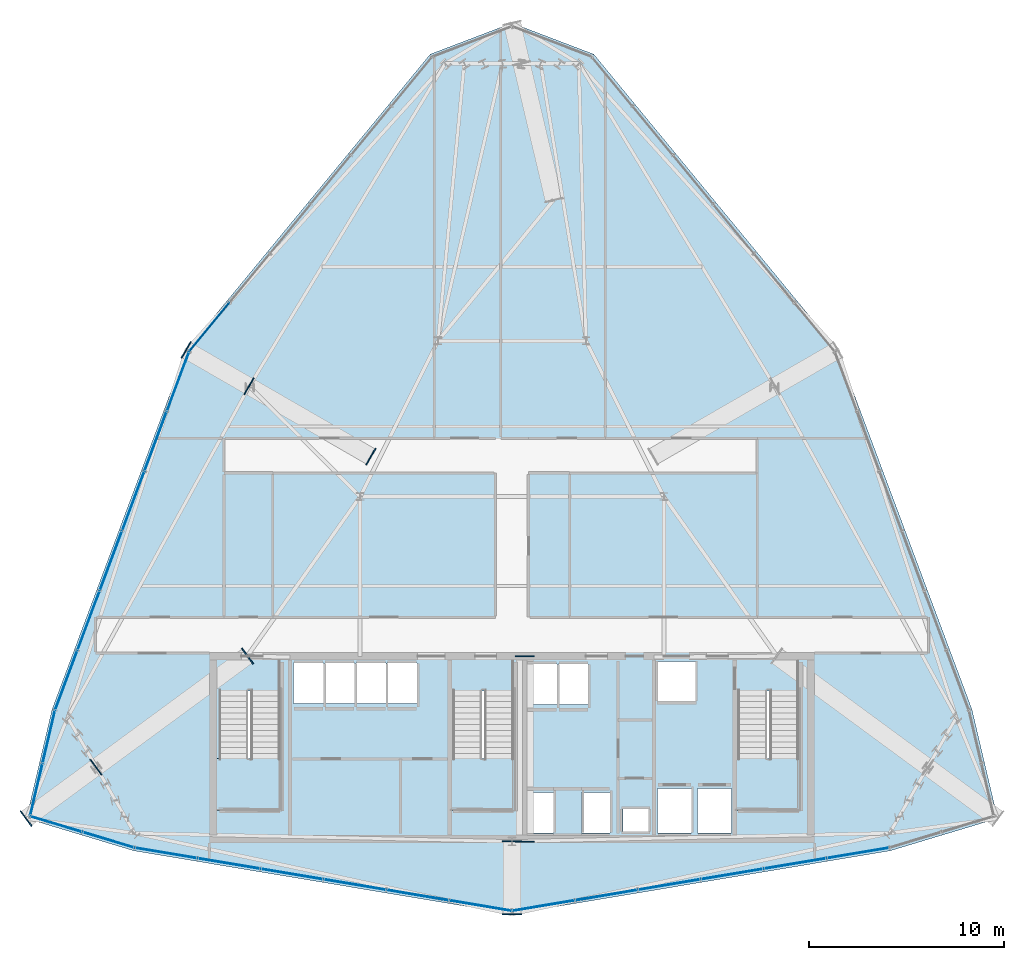
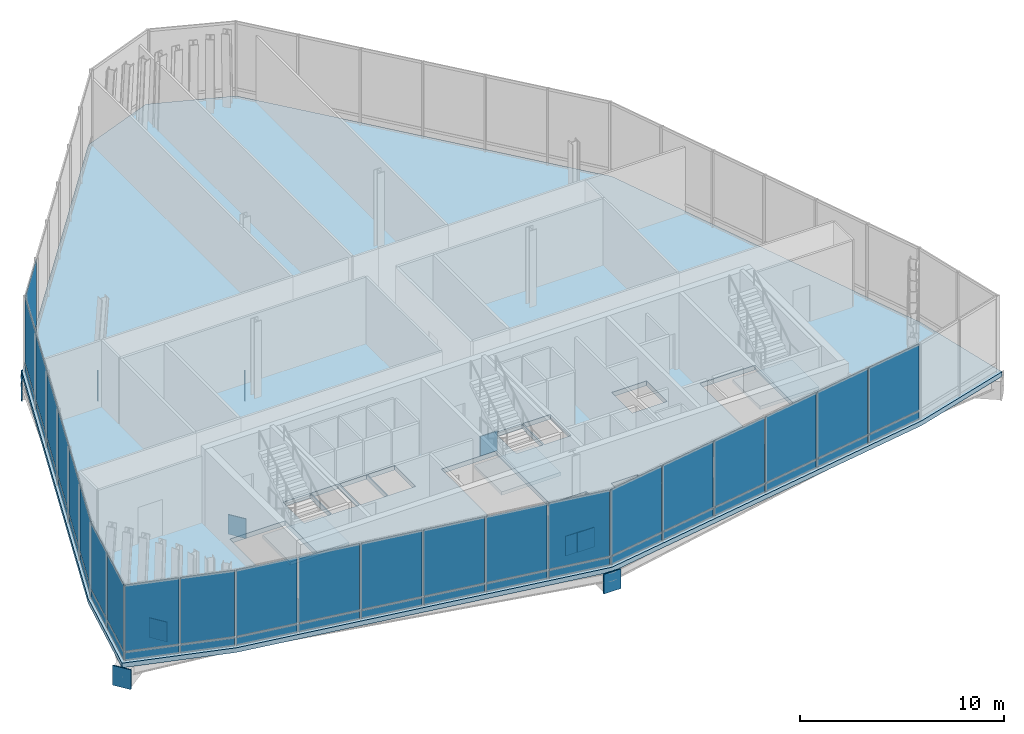
# One storey, part 21 of 28: 56 plates, 4 slabs, 9 elements without a shape of their own.
"""IFC4 building model written with IfcOpenShell, lengths in metres."""

from ifc_helpers import new_model, si_unit, direction, frame, origin, origin_2d, place, context, subcontext, project, spatial, polyline, rectangle, outline, extrude, material, layer, layer_set, type_object, element, aggregate, save


model = new_model("IFC4")

# Units and contexts
model_context = context("Model", 3, precision=1e-05, world=origin(), true_north=direction((0.0, 1.0)))
body_context = subcontext(model_context, "Body", "Model", "MODEL_VIEW")
ifc_project = project(units=[si_unit("LENGTHUNIT", "METRE"), si_unit("AREAUNIT", "SQUARE_METRE"), si_unit("VOLUMEUNIT", "CUBIC_METRE"), si_unit("PLANEANGLEUNIT", "RADIAN"), si_unit("MASSUNIT", "GRAM", prefix="KILO")], contexts=[model_context])

# Site, building, storey
site_placement = place(None, origin())
site = spatial("IfcSite", under=ifc_project, at=site_placement, CompositionType="ELEMENT")
building_placement = place(site_placement, origin())
building = spatial("IfcBuilding", under=site, at=building_placement, Name="Ndaravel Arena Tower", CompositionType="ELEMENT")
storey_placement = place(building_placement, frame((0.0, 0.0, 213.199951171875)))
storey = spatial("IfcBuildingStorey", under=building, at=storey_placement, Name="L51", CompositionType="ELEMENT", Elevation=213.199951171875)

# Plates
ifc_material_1 = material(Name="Steel S460", Category="steel")
ifc_layer_1 = layer(ifc_material_1, 0.06005859375)
ifc_layer_set_1 = layer_set([ifc_layer_1], Name="Steel S460")
plate_type_1 = type_object("IfcPlateType", Name="PLT-CAP-STF1", PredefinedType="USERDEFINED", material=ifc_layer_set_1)
for number, where, z_axis, x_axis, name in (
    (1, (28.40869140625, 15.0087890625, -1.419921875), (0.0, 0.0, 1.0), (-0.805824944182, -0.592153830802, 0.0), "L51 Hollow Section Sealed End Cap Plate HCP-058"),
    (2, (20.6298828125, 9.2919921875, -1.419921875), (0.0, 0.0, 1.0), (-0.805824944182, -0.592153830802, 0.0), "L51 Hollow Section Sealed End Cap Plate HCP-059"),
    (3, (17.03857421875, 6.65234375, -1.419921875), (0.0, 0.0, 1.0), (-0.805824944182, -0.592153830802, 0.0), "L51 Hollow Section Sealed End Cap Plate HCP-060"),
    (4, (42.64990234375, 14.9951171875, -1.419921875), (0.0, 0.0, 1.0), (0.0, -1.0, 0.0), "L51 Hollow Section Sealed End Cap Plate HCP-061"),
    (5, (42.64990234375, 5.465087890625, -1.419921875), (0.0, 0.0, 1.0), (0.0, -1.0, 0.0), "L51 Hollow Section Sealed End Cap Plate HCP-062"),
    (6, (42.0, 5.4951171875, -1.419921875), (0.0, 0.0, 1.0), (0.0, -1.0, 0.0), "L51 Hollow Section Sealed End Cap Plate HCP-063"),
    (7, (42.0, 1.735107421875, -1.419921875), (0.0, 0.0, 1.0), (0.0, -1.0, 0.0), "L51 Hollow Section Sealed End Cap Plate HCP-064"),
    (8, (34.75048828125, 25.251220703125, -1.419921875), (0.0, 0.0, 1.0), (-0.866025403784, 0.5, 0.0), "L51 Hollow Section Sealed End Cap Plate HCP-074"),
    (9, (28.4892578125, 28.8662109375, -1.419921875), (0.0, 0.0, 1.0), (-0.866025403784, 0.5, 0.0), "L51 Hollow Section Sealed End Cap Plate HCP-075"),
    (10, (25.259033203125, 30.731201171875, -1.419921875), (0.0, 0.0, 1.0), (-0.866025403784, 0.5, 0.0), "L51 Hollow Section Sealed End Cap Plate HCP-076"),
):
    element("IfcPlate", number, at=place(storey_placement, frame(where, z_axis=z_axis, x_axis=x_axis)), inside=storey, type_object=plate_type_1, Name=name, ObjectType="STIFFENER_PLATE", PredefinedType="USERDEFINED", context=body_context, shape_type="SweptSolid", body=[
        extrude(rectangle(XDim=0.06005859375, YDim=0.97998046875, at=origin_2d()), origin(), (0.0, 0.0, 1.0), 1.179931640625),
    ])

# Curtain wall, plates
ifc_material_2 = material(Name="Aluminium", Category="aluminium")
ifc_layer_2 = layer(ifc_material_2, 0.179931640625)
ifc_layer_set_2 = layer_set([ifc_layer_2], Name="Aluminium")
curtain_wall_type = type_object("IfcCurtainWallType", Name="CW-SYS-04", PredefinedType="NOTDEFINED", material=ifc_layer_set_2)
curtain_wall_1_placement = place(storey_placement, origin())
curtain_wall_1 = element("IfcCurtainWall", 11, at=curtain_wall_1_placement, inside=storey, type_object=curtain_wall_type, Name="L51 Faceted Crystal Curtain Wall CW-L51-E01", PredefinedType="NOTDEFINED")
ifc_material_3 = material(Name="Glazing", Category="glass")
ifc_layer_3 = layer(ifc_material_3, 0.0400390625)
ifc_layer_set_3 = layer_set([ifc_layer_3], Name="Glazing")
plate_type_2 = type_object("IfcPlateType", Name="PLT-GLZ-LOWIRON", PredefinedType="CURTAIN_PANEL", material=ifc_layer_set_3)
plate_1_placement = place(storey_placement, frame((18.58251953125, 6.367431640625, 0.58984375), z_axis=(0.0, 0.0, 1.0), x_axis=(0.957576390633, -0.288179555317, 0.0)))
plate_1 = element("IfcPlate", 12, at=plate_1_placement, type_object=plate_type_2, Name="CW-L51-E01 Vision Glass Panel 01", PredefinedType="CURTAIN_PANEL", context=body_context, shape_type="SweptSolid", body=[
    extrude(rectangle(XDim=2.72216796875, YDim=0.035888671875, at=origin_2d()), origin(), (0.0, 0.0, 1.0), 3.949951171875),
])
plate_2_placement = place(storey_placement, frame((21.265625, 5.559814453125, 0.58984375), z_axis=(0.0, 0.0, 1.0), x_axis=(0.957576390633, -0.288179555317, 0.0)))
plate_2 = element("IfcPlate", 13, at=plate_2_placement, type_object=plate_type_2, Name="CW-L51-E01 Vision Glass Panel 02", PredefinedType="CURTAIN_PANEL", context=body_context, shape_type="SweptSolid", body=[
    extrude(rectangle(XDim=2.72216796875, YDim=0.035888671875, at=origin_2d()), origin(), (0.0, 0.0, 1.0), 3.949951171875),
])

curtain_wall_2_placement = place(storey_placement, origin())
curtain_wall_2 = element("IfcCurtainWall", 14, at=curtain_wall_2_placement, inside=storey, type_object=curtain_wall_type, Name="L51 Faceted Crystal Curtain Wall CW-L51-E02", PredefinedType="NOTDEFINED")
plate_3_placement = place(storey_placement, frame((24.223388671875, 4.8857421875, 0.58984375), z_axis=(0.0, 0.0, 1.0), x_axis=(0.98629712163, -0.164978749734, 0.0)))
plate_3 = element("IfcPlate", 15, at=plate_3_placement, type_object=plate_type_2, Name="CW-L51-E02 Vision Glass Panel 01", PredefinedType="CURTAIN_PANEL", context=body_context, shape_type="SweptSolid", body=[
    extrude(rectangle(XDim=3.197021484375, YDim=0.035888671875, at=origin_2d()), origin(), (0.0, 0.0, 1.0), 3.949951171875),
])
plate_4_placement = place(storey_placement, frame((27.45556640625, 4.34521484375, 0.58984375), z_axis=(0.0, 0.0, 1.0), x_axis=(0.98629712163, -0.164978749734, 0.0)))
plate_4 = element("IfcPlate", 16, at=plate_4_placement, type_object=plate_type_2, Name="CW-L51-E02 Vision Glass Panel 02", PredefinedType="CURTAIN_PANEL", context=body_context, shape_type="SweptSolid", body=[
    extrude(rectangle(XDim=3.197021484375, YDim=0.035888671875, at=origin_2d()), origin(), (0.0, 0.0, 1.0), 3.949951171875),
])
plate_5_placement = place(storey_placement, frame((30.6875, 3.804443359375, 0.58984375), z_axis=(0.0, 0.0, 1.0), x_axis=(0.98629712163, -0.164978749734, 0.0)))
plate_5 = element("IfcPlate", 17, at=plate_5_placement, type_object=plate_type_2, Name="CW-L51-E02 Vision Glass Panel 03", PredefinedType="CURTAIN_PANEL", context=body_context, shape_type="SweptSolid", body=[
    extrude(rectangle(XDim=3.197021484375, YDim=0.035888671875, at=origin_2d()), origin(), (0.0, 0.0, 1.0), 3.949951171875),
])
plate_6_placement = place(storey_placement, frame((33.919677734375, 3.263916015625, 0.58984375), z_axis=(0.0, 0.0, 1.0), x_axis=(0.98629712163, -0.164978749734, 0.0)))
plate_6 = element("IfcPlate", 18, at=plate_6_placement, type_object=plate_type_2, Name="CW-L51-E02 Vision Glass Panel 04", PredefinedType="CURTAIN_PANEL", context=body_context, shape_type="SweptSolid", body=[
    extrude(rectangle(XDim=3.197021484375, YDim=0.035888671875, at=origin_2d()), origin(), (0.0, 0.0, 1.0), 3.949951171875),
])
plate_7_placement = place(storey_placement, frame((37.15185546875, 2.72314453125, 0.58984375), z_axis=(0.0, 0.0, 1.0), x_axis=(0.98629712163, -0.164978749734, 0.0)))
plate_7 = element("IfcPlate", 19, at=plate_7_placement, type_object=plate_type_2, Name="CW-L51-E02 Vision Glass Panel 05", PredefinedType="CURTAIN_PANEL", context=body_context, shape_type="SweptSolid", body=[
    extrude(rectangle(XDim=3.197021484375, YDim=0.035888671875, at=origin_2d()), origin(), (0.0, 0.0, 1.0), 3.949951171875),
])
plate_8_placement = place(storey_placement, frame((40.3837890625, 2.1826171875, 0.58984375), z_axis=(0.0, 0.0, 1.0), x_axis=(0.98629712163, -0.164978749734, 0.0)))
plate_8 = element("IfcPlate", 20, at=plate_8_placement, type_object=plate_type_2, Name="CW-L51-E02 Vision Glass Panel 06", PredefinedType="CURTAIN_PANEL", context=body_context, shape_type="SweptSolid", body=[
    extrude(rectangle(XDim=3.197021484375, YDim=0.035888671875, at=origin_2d()), origin(), (0.0, 0.0, 1.0), 3.949951171875),
])

curtain_wall_3_placement = place(storey_placement, origin())
curtain_wall_3 = element("IfcCurtainWall", 21, at=curtain_wall_3_placement, inside=storey, type_object=curtain_wall_type, Name="L51 Faceted Crystal Curtain Wall CW-L51-E03", PredefinedType="NOTDEFINED")
plate_9_placement = place(storey_placement, frame((43.6162109375, 2.1826171875, 0.58984375), z_axis=(0.0, 0.0, 1.0), x_axis=(0.98629712163, 0.164978749734, 0.0)))
plate_9 = element("IfcPlate", 22, at=plate_9_placement, type_object=plate_type_2, Name="CW-L51-E03 Vision Glass Panel 01", PredefinedType="CURTAIN_PANEL", context=body_context, shape_type="SweptSolid", body=[
    extrude(rectangle(XDim=3.197021484375, YDim=0.035888671875, at=origin_2d()), origin(), (0.0, 0.0, 1.0), 3.949951171875),
])
plate_10_placement = place(storey_placement, frame((46.84814453125, 2.72314453125, 0.58984375), z_axis=(0.0, 0.0, 1.0), x_axis=(0.98629712163, 0.164978749734, 0.0)))
plate_10 = element("IfcPlate", 23, at=plate_10_placement, type_object=plate_type_2, Name="CW-L51-E03 Vision Glass Panel 02", PredefinedType="CURTAIN_PANEL", context=body_context, shape_type="SweptSolid", body=[
    extrude(rectangle(XDim=3.197021484375, YDim=0.035888671875, at=origin_2d()), origin(), (0.0, 0.0, 1.0), 3.949951171875),
])
plate_11_placement = place(storey_placement, frame((50.080322265625, 3.263916015625, 0.58984375), z_axis=(0.0, 0.0, 1.0), x_axis=(0.98629712163, 0.164978749734, 0.0)))
plate_11 = element("IfcPlate", 24, at=plate_11_placement, type_object=plate_type_2, Name="CW-L51-E03 Vision Glass Panel 03", PredefinedType="CURTAIN_PANEL", context=body_context, shape_type="SweptSolid", body=[
    extrude(rectangle(XDim=3.197021484375, YDim=0.035888671875, at=origin_2d()), origin(), (0.0, 0.0, 1.0), 3.949951171875),
])
plate_12_placement = place(storey_placement, frame((53.3125, 3.804443359375, 0.58984375), z_axis=(0.0, 0.0, 1.0), x_axis=(0.98629712163, 0.164978749734, 0.0)))
plate_12 = element("IfcPlate", 25, at=plate_12_placement, type_object=plate_type_2, Name="CW-L51-E03 Vision Glass Panel 04", PredefinedType="CURTAIN_PANEL", context=body_context, shape_type="SweptSolid", body=[
    extrude(rectangle(XDim=3.197021484375, YDim=0.035888671875, at=origin_2d()), origin(), (0.0, 0.0, 1.0), 3.949951171875),
])
plate_13_placement = place(storey_placement, frame((56.54443359375, 4.34521484375, 0.58984375), z_axis=(0.0, 0.0, 1.0), x_axis=(0.98629712163, 0.164978749734, 0.0)))
plate_13 = element("IfcPlate", 26, at=plate_13_placement, type_object=plate_type_2, Name="CW-L51-E03 Vision Glass Panel 05", PredefinedType="CURTAIN_PANEL", context=body_context, shape_type="SweptSolid", body=[
    extrude(rectangle(XDim=3.197021484375, YDim=0.035888671875, at=origin_2d()), origin(), (0.0, 0.0, 1.0), 3.949951171875),
])
plate_14_placement = place(storey_placement, frame((59.776611328125, 4.8857421875, 0.58984375), z_axis=(0.0, 0.0, 1.0), x_axis=(0.98629712163, 0.164978749734, 0.0)))
plate_14 = element("IfcPlate", 27, at=plate_14_placement, type_object=plate_type_2, Name="CW-L51-E03 Vision Glass Panel 06", PredefinedType="CURTAIN_PANEL", context=body_context, shape_type="SweptSolid", body=[
    extrude(rectangle(XDim=3.197021484375, YDim=0.035888671875, at=origin_2d()), origin(), (0.0, 0.0, 1.0), 3.949951171875),
])

# Curtain wall, plate
curtain_wall_4_placement = place(storey_placement, origin())
curtain_wall_4 = element("IfcCurtainWall", 28, at=curtain_wall_4_placement, inside=storey, type_object=curtain_wall_type, Name="L51 Faceted Crystal Curtain Wall CW-L51-E10", PredefinedType="NOTDEFINED")
plate_15_placement = place(storey_placement, frame((26.452880859375, 31.90478515625, 0.58984375), z_axis=(0.0, 0.0, 1.0), x_axis=(-0.636024349169, -0.771668988144, 0.0)))
plate_15 = element("IfcPlate", 29, at=plate_15_placement, type_object=plate_type_2, Name="CW-L51-E10 Vision Glass Panel 06", PredefinedType="CURTAIN_PANEL", context=body_context, shape_type="SweptSolid", body=[
    extrude(rectangle(XDim=3.191650390625, YDim=0.035888671875, at=origin_2d()), origin(), (0.0, 0.0, 1.0), 3.949951171875),
])

# Curtain wall, plates
curtain_wall_5_placement = place(storey_placement, origin())
curtain_wall_5 = element("IfcCurtainWall", 30, at=curtain_wall_5_placement, inside=storey, type_object=curtain_wall_type, Name="L51 Faceted Crystal Curtain Wall CW-L51-E11", PredefinedType="NOTDEFINED")
plate_16_placement = place(storey_placement, frame((24.838623046875, 29.10791015625, 0.58984375), z_axis=(0.0, 0.0, 1.0), x_axis=(-0.350272772461, -0.936647737878, 0.0)))
plate_16 = element("IfcPlate", 31, at=plate_16_placement, type_object=plate_type_2, Name="CW-L51-E11 Vision Glass Panel 01", PredefinedType="CURTAIN_PANEL", context=body_context, shape_type="SweptSolid", body=[
    extrude(rectangle(XDim=3.197021484375, YDim=0.035888671875, at=origin_2d()), origin(), (0.0, 0.0, 1.0), 3.949951171875),
])
plate_17_placement = place(storey_placement, frame((23.69091796875, 26.03857421875, 0.58984375), z_axis=(0.0, 0.0, 1.0), x_axis=(-0.350272772461, -0.936647737878, 0.0)))
plate_17 = element("IfcPlate", 32, at=plate_17_placement, type_object=plate_type_2, Name="CW-L51-E11 Vision Glass Panel 02", PredefinedType="CURTAIN_PANEL", context=body_context, shape_type="SweptSolid", body=[
    extrude(rectangle(XDim=3.197021484375, YDim=0.035888671875, at=origin_2d()), origin(), (0.0, 0.0, 1.0), 3.949951171875),
])
plate_18_placement = place(storey_placement, frame((22.54296875, 22.968994140625, 0.58984375), z_axis=(0.0, 0.0, 1.0), x_axis=(-0.350272772461, -0.936647737878, 0.0)))
plate_18 = element("IfcPlate", 33, at=plate_18_placement, type_object=plate_type_2, Name="CW-L51-E11 Vision Glass Panel 03", PredefinedType="CURTAIN_PANEL", context=body_context, shape_type="SweptSolid", body=[
    extrude(rectangle(XDim=3.197021484375, YDim=0.035888671875, at=origin_2d()), origin(), (0.0, 0.0, 1.0), 3.949951171875),
])
plate_19_placement = place(storey_placement, frame((21.39501953125, 19.899658203125, 0.58984375), z_axis=(0.0, 0.0, 1.0), x_axis=(-0.350272772461, -0.936647737878, 0.0)))
plate_19 = element("IfcPlate", 34, at=plate_19_placement, type_object=plate_type_2, Name="CW-L51-E11 Vision Glass Panel 04", PredefinedType="CURTAIN_PANEL", context=body_context, shape_type="SweptSolid", body=[
    extrude(rectangle(XDim=3.197021484375, YDim=0.035888671875, at=origin_2d()), origin(), (0.0, 0.0, 1.0), 3.949951171875),
])
plate_20_placement = place(storey_placement, frame((20.247314453125, 16.830078125, 0.58984375), z_axis=(0.0, 0.0, 1.0), x_axis=(-0.350272772461, -0.936647737878, 0.0)))
plate_20 = element("IfcPlate", 35, at=plate_20_placement, type_object=plate_type_2, Name="CW-L51-E11 Vision Glass Panel 05", PredefinedType="CURTAIN_PANEL", context=body_context, shape_type="SweptSolid", body=[
    extrude(rectangle(XDim=3.197021484375, YDim=0.035888671875, at=origin_2d()), origin(), (0.0, 0.0, 1.0), 3.949951171875),
])
plate_21_placement = place(storey_placement, frame((19.099365234375, 13.7607421875, 0.58984375), z_axis=(0.0, 0.0, 1.0), x_axis=(-0.350272772461, -0.936647737878, 0.0)))
plate_21 = element("IfcPlate", 36, at=plate_21_placement, type_object=plate_type_2, Name="CW-L51-E11 Vision Glass Panel 06", PredefinedType="CURTAIN_PANEL", context=body_context, shape_type="SweptSolid", body=[
    extrude(rectangle(XDim=3.197021484375, YDim=0.035888671875, at=origin_2d()), origin(), (0.0, 0.0, 1.0), 3.949951171875),
])

curtain_wall_6_placement = place(storey_placement, origin())
curtain_wall_6 = element("IfcCurtainWall", 37, at=curtain_wall_6_placement, inside=storey, type_object=curtain_wall_type, Name="L51 Faceted Crystal Curtain Wall CW-L51-E12", PredefinedType="NOTDEFINED")
plate_22_placement = place(storey_placement, frame((18.204345703125, 10.8623046875, 0.58984375), z_axis=(0.0, 0.0, 1.0), x_axis=(-0.22921737956, -0.973375258011, 0.0)))
plate_22 = element("IfcPlate", 38, at=plate_22_placement, type_object=plate_type_2, Name="CW-L51-E12 Vision Glass Panel 01", PredefinedType="CURTAIN_PANEL", context=body_context, shape_type="SweptSolid", body=[
    extrude(rectangle(XDim=2.72216796875, YDim=0.035888671875, at=origin_2d()), origin(), (0.0, 0.0, 1.0), 3.949951171875),
])
plate_23_placement = place(storey_placement, frame((17.56201171875, 8.135009765625, 0.58984375), z_axis=(0.0, 0.0, 1.0), x_axis=(-0.22921737956, -0.973375258011, 0.0)))
plate_23 = element("IfcPlate", 39, at=plate_23_placement, type_object=plate_type_2, Name="CW-L51-E12 Vision Glass Panel 02", PredefinedType="CURTAIN_PANEL", context=body_context, shape_type="SweptSolid", body=[
    extrude(rectangle(XDim=2.72216796875, YDim=0.035888671875, at=origin_2d()), origin(), (0.0, 0.0, 1.0), 3.949951171875),
])

# Plate
ifc_material_4 = material(Name="Aluminium", Category="aluminium")
ifc_layer_4 = layer(ifc_material_4, 0.044921875)
ifc_layer_set_4 = layer_set([ifc_layer_4], Name="Aluminium")
plate_type_3 = type_object("IfcPlateType", Name="PLT-SPANDREL-ALU", PredefinedType="SHEET", material=ifc_layer_set_4)
plate_24_placement = place(storey_placement, frame((18.58251953125, 6.367431640625, 0.0400390625), z_axis=(0.0, 0.0, 1.0), x_axis=(0.957576390633, -0.288179555317, 0.0)))
plate_24 = element("IfcPlate", 40, at=plate_24_placement, type_object=plate_type_3, Name="CW-L51-E01 Spandrel Panel 01", PredefinedType="SHEET", context=body_context, shape_type="SweptSolid", body=[
    extrude(rectangle(XDim=2.72216796875, YDim=0.044921875, at=origin_2d()), origin(), (0.0, 0.0, 1.0), 0.469970703125),
])

plate_25_placement = place(storey_placement, frame((21.265625, 5.559814453125, 0.0400390625), z_axis=(0.0, 0.0, 1.0), x_axis=(0.957576390633, -0.288179555317, 0.0)))
plate_25 = element("IfcPlate", 41, at=plate_25_placement, type_object=plate_type_3, Name="CW-L51-E01 Spandrel Panel 02", PredefinedType="SHEET", context=body_context, shape_type="SweptSolid", body=[
    extrude(rectangle(XDim=2.72216796875, YDim=0.044921875, at=origin_2d()), origin(), (0.0, 0.0, 1.0), 0.469970703125),
])

aggregate(curtain_wall_1, [plate_24, plate_1, plate_25, plate_2])

plate_26_placement = place(storey_placement, frame((24.223388671875, 4.8857421875, 0.0400390625), z_axis=(0.0, 0.0, 1.0), x_axis=(0.98629712163, -0.164978749734, 0.0)))
plate_26 = element("IfcPlate", 42, at=plate_26_placement, type_object=plate_type_3, Name="CW-L51-E02 Spandrel Panel 01", PredefinedType="SHEET", context=body_context, shape_type="SweptSolid", body=[
    extrude(rectangle(XDim=3.197021484375, YDim=0.044921875, at=origin_2d()), origin(), (0.0, 0.0, 1.0), 0.469970703125),
])

plate_27_placement = place(storey_placement, frame((27.45556640625, 4.34521484375, 0.0400390625), z_axis=(0.0, 0.0, 1.0), x_axis=(0.98629712163, -0.164978749734, 0.0)))
plate_27 = element("IfcPlate", 43, at=plate_27_placement, type_object=plate_type_3, Name="CW-L51-E02 Spandrel Panel 02", PredefinedType="SHEET", context=body_context, shape_type="SweptSolid", body=[
    extrude(rectangle(XDim=3.197021484375, YDim=0.044921875, at=origin_2d()), origin(), (0.0, 0.0, 1.0), 0.469970703125),
])

plate_28_placement = place(storey_placement, frame((30.6875, 3.804443359375, 0.0400390625), z_axis=(0.0, 0.0, 1.0), x_axis=(0.98629712163, -0.164978749734, 0.0)))
plate_28 = element("IfcPlate", 44, at=plate_28_placement, type_object=plate_type_3, Name="CW-L51-E02 Spandrel Panel 03", PredefinedType="SHEET", context=body_context, shape_type="SweptSolid", body=[
    extrude(rectangle(XDim=3.197021484375, YDim=0.044921875, at=origin_2d()), origin(), (0.0, 0.0, 1.0), 0.469970703125),
])

plate_29_placement = place(storey_placement, frame((33.919677734375, 3.263916015625, 0.0400390625), z_axis=(0.0, 0.0, 1.0), x_axis=(0.98629712163, -0.164978749734, 0.0)))
plate_29 = element("IfcPlate", 45, at=plate_29_placement, type_object=plate_type_3, Name="CW-L51-E02 Spandrel Panel 04", PredefinedType="SHEET", context=body_context, shape_type="SweptSolid", body=[
    extrude(rectangle(XDim=3.197021484375, YDim=0.044921875, at=origin_2d()), origin(), (0.0, 0.0, 1.0), 0.469970703125),
])

plate_30_placement = place(storey_placement, frame((37.15185546875, 2.72314453125, 0.0400390625), z_axis=(0.0, 0.0, 1.0), x_axis=(0.98629712163, -0.164978749734, 0.0)))
plate_30 = element("IfcPlate", 46, at=plate_30_placement, type_object=plate_type_3, Name="CW-L51-E02 Spandrel Panel 05", PredefinedType="SHEET", context=body_context, shape_type="SweptSolid", body=[
    extrude(rectangle(XDim=3.197021484375, YDim=0.044921875, at=origin_2d()), origin(), (0.0, 0.0, 1.0), 0.469970703125),
])

plate_31_placement = place(storey_placement, frame((40.3837890625, 2.1826171875, 0.0400390625), z_axis=(0.0, 0.0, 1.0), x_axis=(0.98629712163, -0.164978749734, 0.0)))
plate_31 = element("IfcPlate", 47, at=plate_31_placement, type_object=plate_type_3, Name="CW-L51-E02 Spandrel Panel 06", PredefinedType="SHEET", context=body_context, shape_type="SweptSolid", body=[
    extrude(rectangle(XDim=3.197021484375, YDim=0.044921875, at=origin_2d()), origin(), (0.0, 0.0, 1.0), 0.469970703125),
])

aggregate(curtain_wall_2, [plate_26, plate_3, plate_27, plate_4, plate_28, plate_5, plate_29, plate_6, plate_30, plate_7, plate_31, plate_8])

plate_32_placement = place(storey_placement, frame((43.6162109375, 2.1826171875, 0.0400390625), z_axis=(0.0, 0.0, 1.0), x_axis=(0.98629712163, 0.164978749734, 0.0)))
plate_32 = element("IfcPlate", 48, at=plate_32_placement, type_object=plate_type_3, Name="CW-L51-E03 Spandrel Panel 01", PredefinedType="SHEET", context=body_context, shape_type="SweptSolid", body=[
    extrude(rectangle(XDim=3.197021484375, YDim=0.044921875, at=origin_2d()), origin(), (0.0, 0.0, 1.0), 0.469970703125),
])

plate_33_placement = place(storey_placement, frame((46.84814453125, 2.72314453125, 0.0400390625), z_axis=(0.0, 0.0, 1.0), x_axis=(0.98629712163, 0.164978749734, 0.0)))
plate_33 = element("IfcPlate", 49, at=plate_33_placement, type_object=plate_type_3, Name="CW-L51-E03 Spandrel Panel 02", PredefinedType="SHEET", context=body_context, shape_type="SweptSolid", body=[
    extrude(rectangle(XDim=3.197021484375, YDim=0.044921875, at=origin_2d()), origin(), (0.0, 0.0, 1.0), 0.469970703125),
])

plate_34_placement = place(storey_placement, frame((50.080322265625, 3.263916015625, 0.0400390625), z_axis=(0.0, 0.0, 1.0), x_axis=(0.98629712163, 0.164978749734, 0.0)))
plate_34 = element("IfcPlate", 50, at=plate_34_placement, type_object=plate_type_3, Name="CW-L51-E03 Spandrel Panel 03", PredefinedType="SHEET", context=body_context, shape_type="SweptSolid", body=[
    extrude(rectangle(XDim=3.197021484375, YDim=0.044921875, at=origin_2d()), origin(), (0.0, 0.0, 1.0), 0.469970703125),
])

plate_35_placement = place(storey_placement, frame((53.3125, 3.804443359375, 0.0400390625), z_axis=(0.0, 0.0, 1.0), x_axis=(0.98629712163, 0.164978749734, 0.0)))
plate_35 = element("IfcPlate", 51, at=plate_35_placement, type_object=plate_type_3, Name="CW-L51-E03 Spandrel Panel 04", PredefinedType="SHEET", context=body_context, shape_type="SweptSolid", body=[
    extrude(rectangle(XDim=3.197021484375, YDim=0.044921875, at=origin_2d()), origin(), (0.0, 0.0, 1.0), 0.469970703125),
])

plate_36_placement = place(storey_placement, frame((56.54443359375, 4.34521484375, 0.0400390625), z_axis=(0.0, 0.0, 1.0), x_axis=(0.98629712163, 0.164978749734, 0.0)))
plate_36 = element("IfcPlate", 52, at=plate_36_placement, type_object=plate_type_3, Name="CW-L51-E03 Spandrel Panel 05", PredefinedType="SHEET", context=body_context, shape_type="SweptSolid", body=[
    extrude(rectangle(XDim=3.197021484375, YDim=0.044921875, at=origin_2d()), origin(), (0.0, 0.0, 1.0), 0.469970703125),
])

plate_37_placement = place(storey_placement, frame((59.776611328125, 4.8857421875, 0.0400390625), z_axis=(0.0, 0.0, 1.0), x_axis=(0.98629712163, 0.164978749734, 0.0)))
plate_37 = element("IfcPlate", 53, at=plate_37_placement, type_object=plate_type_3, Name="CW-L51-E03 Spandrel Panel 06", PredefinedType="SHEET", context=body_context, shape_type="SweptSolid", body=[
    extrude(rectangle(XDim=3.197021484375, YDim=0.044921875, at=origin_2d()), origin(), (0.0, 0.0, 1.0), 0.469970703125),
])

aggregate(curtain_wall_3, [plate_32, plate_9, plate_33, plate_10, plate_34, plate_11, plate_35, plate_12, plate_36, plate_13, plate_37, plate_14])

plate_38_placement = place(storey_placement, frame((26.452880859375, 31.90478515625, 0.0400390625), z_axis=(0.0, 0.0, 1.0), x_axis=(-0.636024349169, -0.771668988144, 0.0)))
plate_38 = element("IfcPlate", 54, at=plate_38_placement, type_object=plate_type_3, Name="CW-L51-E10 Spandrel Panel 06", PredefinedType="SHEET", context=body_context, shape_type="SweptSolid", body=[
    extrude(rectangle(XDim=3.191650390625, YDim=0.044921875, at=origin_2d()), origin(), (0.0, 0.0, 1.0), 0.469970703125),
])

aggregate(curtain_wall_4, [plate_38, plate_15])

plate_39_placement = place(storey_placement, frame((24.838623046875, 29.10791015625, 0.0400390625), z_axis=(0.0, 0.0, 1.0), x_axis=(-0.350272772461, -0.936647737878, 0.0)))
plate_39 = element("IfcPlate", 55, at=plate_39_placement, type_object=plate_type_3, Name="CW-L51-E11 Spandrel Panel 01", PredefinedType="SHEET", context=body_context, shape_type="SweptSolid", body=[
    extrude(rectangle(XDim=3.197021484375, YDim=0.044921875, at=origin_2d()), origin(), (0.0, 0.0, 1.0), 0.469970703125),
])

plate_40_placement = place(storey_placement, frame((23.69091796875, 26.03857421875, 0.0400390625), z_axis=(0.0, 0.0, 1.0), x_axis=(-0.350272772461, -0.936647737878, 0.0)))
plate_40 = element("IfcPlate", 56, at=plate_40_placement, type_object=plate_type_3, Name="CW-L51-E11 Spandrel Panel 02", PredefinedType="SHEET", context=body_context, shape_type="SweptSolid", body=[
    extrude(rectangle(XDim=3.197021484375, YDim=0.044921875, at=origin_2d()), origin(), (0.0, 0.0, 1.0), 0.469970703125),
])

plate_41_placement = place(storey_placement, frame((22.54296875, 22.968994140625, 0.0400390625), z_axis=(0.0, 0.0, 1.0), x_axis=(-0.350272772461, -0.936647737878, 0.0)))
plate_41 = element("IfcPlate", 57, at=plate_41_placement, type_object=plate_type_3, Name="CW-L51-E11 Spandrel Panel 03", PredefinedType="SHEET", context=body_context, shape_type="SweptSolid", body=[
    extrude(rectangle(XDim=3.197021484375, YDim=0.044921875, at=origin_2d()), origin(), (0.0, 0.0, 1.0), 0.469970703125),
])

plate_42_placement = place(storey_placement, frame((21.39501953125, 19.899658203125, 0.0400390625), z_axis=(0.0, 0.0, 1.0), x_axis=(-0.350272772461, -0.936647737878, 0.0)))
plate_42 = element("IfcPlate", 58, at=plate_42_placement, type_object=plate_type_3, Name="CW-L51-E11 Spandrel Panel 04", PredefinedType="SHEET", context=body_context, shape_type="SweptSolid", body=[
    extrude(rectangle(XDim=3.197021484375, YDim=0.044921875, at=origin_2d()), origin(), (0.0, 0.0, 1.0), 0.469970703125),
])

plate_43_placement = place(storey_placement, frame((20.247314453125, 16.830078125, 0.0400390625), z_axis=(0.0, 0.0, 1.0), x_axis=(-0.350272772461, -0.936647737878, 0.0)))
plate_43 = element("IfcPlate", 59, at=plate_43_placement, type_object=plate_type_3, Name="CW-L51-E11 Spandrel Panel 05", PredefinedType="SHEET", context=body_context, shape_type="SweptSolid", body=[
    extrude(rectangle(XDim=3.197021484375, YDim=0.044921875, at=origin_2d()), origin(), (0.0, 0.0, 1.0), 0.469970703125),
])

plate_44_placement = place(storey_placement, frame((19.099365234375, 13.7607421875, 0.0400390625), z_axis=(0.0, 0.0, 1.0), x_axis=(-0.350272772461, -0.936647737878, 0.0)))
plate_44 = element("IfcPlate", 60, at=plate_44_placement, type_object=plate_type_3, Name="CW-L51-E11 Spandrel Panel 06", PredefinedType="SHEET", context=body_context, shape_type="SweptSolid", body=[
    extrude(rectangle(XDim=3.197021484375, YDim=0.044921875, at=origin_2d()), origin(), (0.0, 0.0, 1.0), 0.469970703125),
])

aggregate(curtain_wall_5, [plate_39, plate_16, plate_40, plate_17, plate_41, plate_18, plate_42, plate_19, plate_43, plate_20, plate_44, plate_21])

plate_45_placement = place(storey_placement, frame((18.204345703125, 10.8623046875, 0.0400390625), z_axis=(0.0, 0.0, 1.0), x_axis=(-0.22921737956, -0.973375258011, 0.0)))
plate_45 = element("IfcPlate", 61, at=plate_45_placement, type_object=plate_type_3, Name="CW-L51-E12 Spandrel Panel 01", PredefinedType="SHEET", context=body_context, shape_type="SweptSolid", body=[
    extrude(rectangle(XDim=2.72216796875, YDim=0.044921875, at=origin_2d()), origin(), (0.0, 0.0, 1.0), 0.469970703125),
])

plate_46_placement = place(storey_placement, frame((17.56201171875, 8.135009765625, 0.0400390625), z_axis=(0.0, 0.0, 1.0), x_axis=(-0.22921737956, -0.973375258011, 0.0)))
plate_46 = element("IfcPlate", 62, at=plate_46_placement, type_object=plate_type_3, Name="CW-L51-E12 Spandrel Panel 02", PredefinedType="SHEET", context=body_context, shape_type="SweptSolid", body=[
    extrude(rectangle(XDim=2.72216796875, YDim=0.044921875, at=origin_2d()), origin(), (0.0, 0.0, 1.0), 0.469970703125),
])

aggregate(curtain_wall_6, [plate_45, plate_22, plate_46, plate_23])

# Stair, slab
ifc_material_5 = material(Name="Concrete C40/50", Category="concrete")
stair_type = type_object("IfcStairType", Name="STAIR-CORE-HT", PredefinedType="HALF_TURN_STAIR", material=ifc_material_5)
stair_1_placement = place(storey_placement, origin())
stair_1 = element("IfcStair", 63, at=stair_1_placement, inside=storey, type_object=stair_type, Name="L51 ST-1", PredefinedType="HALF_TURN_STAIR")
ifc_material_6 = material(Name="Concrete C40/50", Category="concrete")
ifc_layer_5 = layer(ifc_material_6, 0.199951171875)
ifc_layer_set_5 = layer_set([ifc_layer_5], Name="Concrete C40/50")
slab_type_1 = type_object("IfcSlabType", Name="SLAB-STAIR-LANDING", PredefinedType="LANDING", material=ifc_layer_set_5)
slab_1_placement = place(storey_placement, frame((0.0, 0.0, 2.199951171875)))
slab_1 = element("IfcSlab", 64, at=slab_1_placement, type_object=slab_type_1, Name="ST-1 landing 1", PredefinedType="LANDING", context=body_context, shape_type="SweptSolid", body=[
    extrude(outline(polyline([(26.81005859375, 9.7451171875), (26.81005859375, 7.070068359375), (30.169921875, 7.070068359375), (30.169921875, 9.7451171875), (26.81005859375, 9.7451171875)])), origin(), (0.0, 0.0, 1.0), 0.2001953125),
])
aggregate(stair_1, [slab_1])

stair_2_placement = place(storey_placement, origin())
stair_2 = element("IfcStair", 65, at=stair_2_placement, inside=storey, type_object=stair_type, Name="L51 ST-2", PredefinedType="HALF_TURN_STAIR")
slab_2_placement = place(storey_placement, frame((0.0, 0.0, 2.199951171875)))
slab_2 = element("IfcSlab", 66, at=slab_2_placement, type_object=slab_type_1, Name="ST-2 landing 1", PredefinedType="LANDING", context=body_context, shape_type="SweptSolid", body=[
    extrude(outline(polyline([(38.81005859375, 9.7451171875), (38.81005859375, 7.070068359375), (42.169921875, 7.070068359375), (42.169921875, 9.7451171875), (38.81005859375, 9.7451171875)])), origin(), (0.0, 0.0, 1.0), 0.2001953125),
])
aggregate(stair_2, [slab_2])

stair_3_placement = place(storey_placement, origin())
stair_3 = element("IfcStair", 67, at=stair_3_placement, inside=storey, type_object=stair_type, Name="L51 ST-3", PredefinedType="HALF_TURN_STAIR")
slab_3_placement = place(storey_placement, frame((0.0, 0.0, 2.199951171875)))
slab_3 = element("IfcSlab", 68, at=slab_3_placement, type_object=slab_type_1, Name="ST-3 landing 1", PredefinedType="LANDING", context=body_context, shape_type="SweptSolid", body=[
    extrude(outline(polyline([(53.4599609375, 9.7451171875), (53.4599609375, 7.070068359375), (56.820068359375, 7.070068359375), (56.820068359375, 9.7451171875), (53.4599609375, 9.7451171875)])), origin(), (0.0, 0.0, 1.0), 0.2001953125),
])
aggregate(stair_3, [slab_3])

# Slab
ifc_material_7 = material(Name="Concrete C40/50", Category="concrete")
ifc_layer_6 = layer(ifc_material_7, 0.280029296875)
ifc_layer_set_6 = layer_set([ifc_layer_6], Name="Concrete C40/50")
slab_type_2 = type_object("IfcSlabType", Name="SLAB-TRANS-280", PredefinedType="FLOOR", material=ifc_layer_set_6)
slab_4_placement = place(storey_placement, frame((0.0, 0.0, -0.280029296875)))
element("IfcSlab", 69, at=slab_4_placement, inside=storey, type_object=slab_type_2, Name="L51 Structural Floor Slab", PredefinedType="FLOOR", context=body_context, shape_type="SweptSolid", body=[
    extrude(outline(polyline([(18.3720703125, 12.272705078125), (17.05078125, 6.661376953125), (22.57080078125, 5.0), (42.0, 1.75), (61.42919921875, 5.0), (66.94921875, 6.661376953125), (65.6279296875, 12.272705078125), (58.727783203125, 30.7236328125), (46.19873046875, 45.9248046875), (42.0, 47.52490234375), (37.80126953125, 45.9248046875), (25.272216796875, 30.7236328125), (18.3720703125, 12.272705078125)]), holes=[polyline([(26.949951171875, 13.215087890625), (26.949951171875, 7.14990234375), (30.090087890625, 7.14990234375), (30.090087890625, 13.215087890625), (26.949951171875, 13.215087890625)]), polyline([(38.949951171875, 13.215087890625), (38.949951171875, 7.14990234375), (42.090087890625, 7.14990234375), (42.090087890625, 13.215087890625), (38.949951171875, 13.215087890625)]), polyline([(53.60009765625, 13.215087890625), (53.60009765625, 7.14990234375), (56.739990234375, 7.14990234375), (56.739990234375, 13.215087890625), (53.60009765625, 13.215087890625)]), polyline([(30.784912109375, 12.56005859375), (32.31494140625, 12.56005859375), (32.31494140625, 14.639892578125), (30.784912109375, 14.639892578125), (30.784912109375, 12.56005859375)]), polyline([(32.385009765625, 12.56005859375), (33.9150390625, 12.56005859375), (33.9150390625, 14.639892578125), (32.385009765625, 14.639892578125), (32.385009765625, 12.56005859375)]), polyline([(33.985107421875, 12.56005859375), (35.514892578125, 12.56005859375), (35.514892578125, 14.639892578125), (33.985107421875, 14.639892578125), (33.985107421875, 12.56005859375)]), polyline([(35.5849609375, 12.56005859375), (37.114990234375, 12.56005859375), (37.114990234375, 14.639892578125), (35.5849609375, 14.639892578125), (35.5849609375, 12.56005859375)]), polyline([(42.659912109375, 5.909912109375), (44.139892578125, 5.909912109375), (44.139892578125, 7.989990234375), (42.659912109375, 7.989990234375), (42.659912109375, 5.909912109375)]), polyline([(45.56005859375, 5.909912109375), (47.0400390625, 5.909912109375), (47.0400390625, 7.989990234375), (45.56005859375, 7.989990234375), (45.56005859375, 5.909912109375)]), polyline([(42.784912109375, 12.510009765625), (44.31494140625, 12.510009765625), (44.31494140625, 14.590087890625), (42.784912109375, 14.590087890625), (42.784912109375, 12.510009765625)]), polyline([(44.385009765625, 12.510009765625), (45.9150390625, 12.510009765625), (45.9150390625, 14.590087890625), (44.385009765625, 14.590087890625), (44.385009765625, 12.510009765625)]), polyline([(49.485107421875, 5.909912109375), (51.215087890625, 5.909912109375), (51.215087890625, 8.18994140625), (49.485107421875, 8.18994140625), (49.485107421875, 5.909912109375)]), polyline([(51.534912109375, 5.909912109375), (53.264892578125, 5.909912109375), (53.264892578125, 8.18994140625), (51.534912109375, 8.18994140625), (51.534912109375, 5.909912109375)]), polyline([(49.4599609375, 12.68505859375), (51.43994140625, 12.68505859375), (51.43994140625, 14.715087890625), (49.4599609375, 14.715087890625), (49.4599609375, 12.68505859375)]), polyline([(47.699951171875, 6.0), (49.0, 6.0), (49.0, 7.139892578125), (47.699951171875, 7.139892578125), (47.699951171875, 6.0)])]), origin(), (0.0, 0.0, 1.0), 0.280029296875),
])

save(model, "model.ifc")
